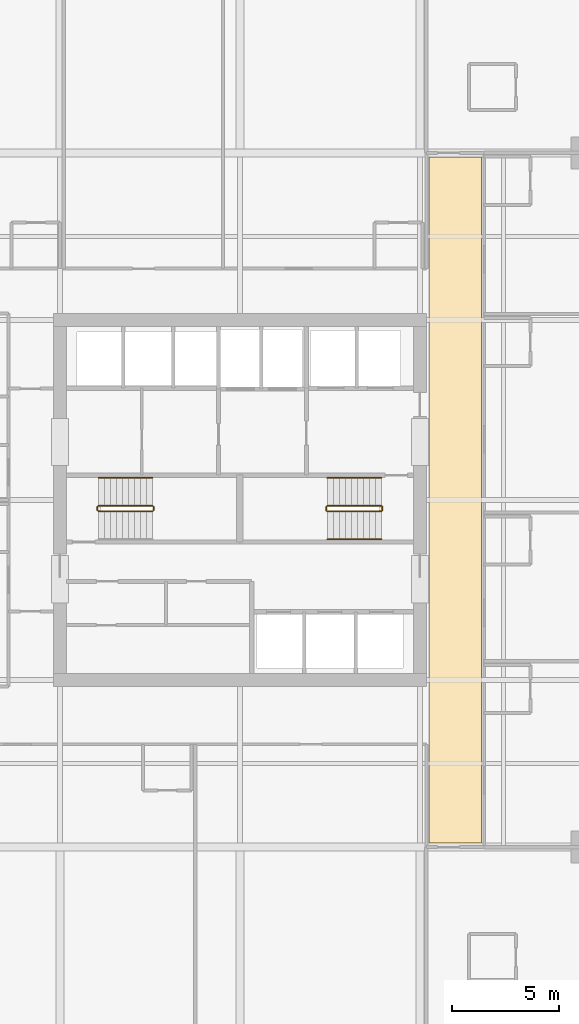
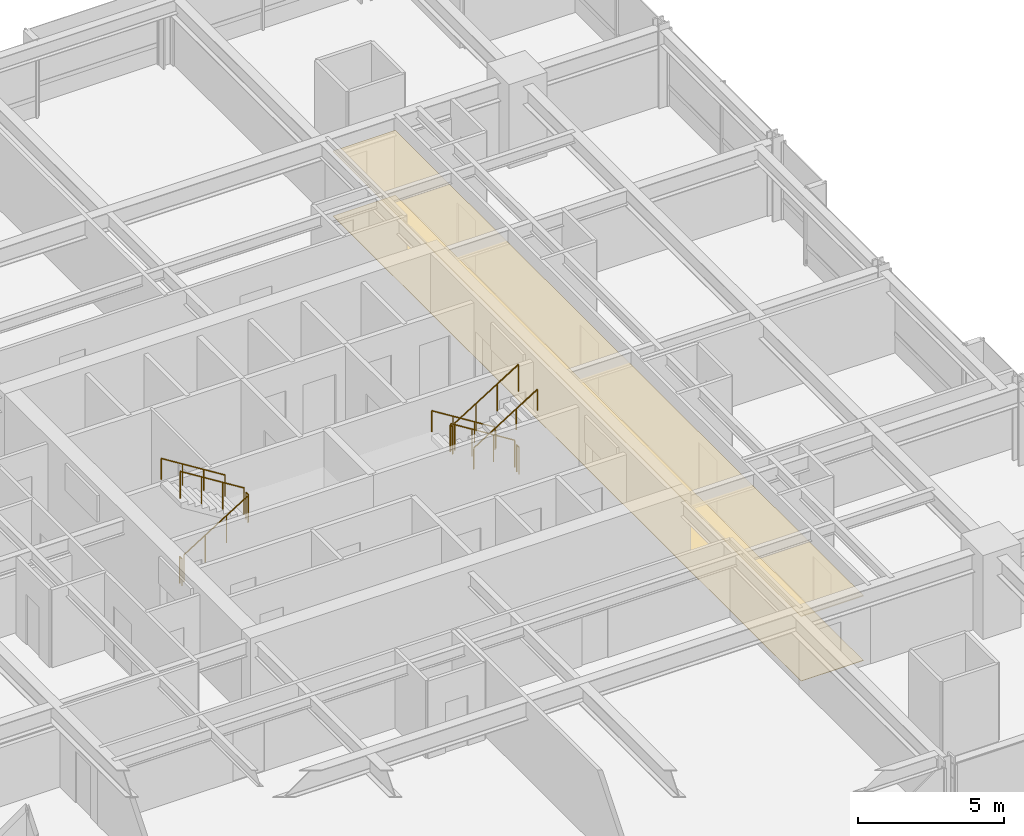
# One storey, part 33 of 34: 11 railings, 2 coverings.
"""IFC4 building model written with IfcOpenShell, lengths in metres."""

from ifc_helpers import new_model, si_unit, direction, frame, origin, origin_2d, place, context, subcontext, project, spatial, polyline, circle, outline, extrude, material, layer, layer_set, type_object, element, save


model = new_model("IFC4")

# Units and contexts
model_context = context("Model", 3, precision=1e-05, world=origin(), true_north=direction((0.0, 1.0)))
body_context = subcontext(model_context, "Body", "Model", "MODEL_VIEW")
ifc_project = project(units=[si_unit("LENGTHUNIT", "METRE"), si_unit("AREAUNIT", "SQUARE_METRE"), si_unit("VOLUMEUNIT", "CUBIC_METRE"), si_unit("PLANEANGLEUNIT", "RADIAN"), si_unit("MASSUNIT", "GRAM", prefix="KILO")], contexts=[model_context])

# Site, building, storey
site_placement = place(None, origin())
site = spatial("IfcSite", under=ifc_project, at=site_placement, CompositionType="ELEMENT")
building_placement = place(site_placement, origin())
building = spatial("IfcBuilding", under=site, at=building_placement, Name="Drelvath Grand Hotel", CompositionType="ELEMENT")
storey_placement = place(building_placement, frame((0.0, 0.0, 102.300048828125)))
storey = spatial("IfcBuildingStorey", under=building, at=storey_placement, Name="L25", CompositionType="ELEMENT", Elevation=102.300048828125)

# Railings
ifc_material_1 = material(Name="Painted Steel S275", Category="steel")
railing_type_1 = type_object("IfcRailingType", Name="Core Stair Wall Handrail 900", PredefinedType="HANDRAIL", material=ifc_material_1)
for number, where, name in (
    (1, (-4.080078125, 28.030029296875, 1.925048828125), "L25 ST-1 stair handrail 2"),
    (2, (6.60009765625, 28.030029296875, 0.175048828125), "L25 ST-2 stair handrail 1"),
):
    element("IfcRailing", number, at=place(storey_placement, frame(where)), inside=storey, type_object=railing_type_1, Name=name, PredefinedType="HANDRAIL", context=body_context, shape_type="SweptSolid", body=[
        extrude(circle(Radius=0.02392578125, at=origin_2d()), frame((0.0, 0.0, 0.8759765625), z_axis=(-0.848007534815, 0.0, 0.529984170421), x_axis=(0.0, -1.0, 0.0)), (0.0, 0.0, 1.0), 2.9716796875),
        extrude(circle(Radius=0.02099609375, at=origin_2d()), origin(), (0.0, 0.0, 1.0), 0.851806640625),
        extrude(circle(Radius=0.02099609375, at=origin_2d()), frame((-0.840087890625, 0.0, 0.52490234375)), (0.0, 0.0, 1.0), 0.851806640625),
        extrude(circle(Radius=0.02099609375, at=origin_2d()), frame((-1.679931640625, 0.0, 1.050048828125)), (0.0, 0.0, 1.0), 0.851806640625),
        extrude(circle(Radius=0.02099609375, at=origin_2d()), frame((-2.52001953125, 0.0, 1.574951171875)), (0.0, 0.0, 1.0), 0.851806640625),
    ])
railing_1_placement = place(storey_placement, frame((4.080078125, 25.169921875, 1.925048828125)))
element("IfcRailing", 3, at=railing_1_placement, inside=storey, type_object=railing_type_1, Name="L25 ST-2 stair handrail 2", PredefinedType="HANDRAIL", context=body_context, shape_type="SweptSolid", body=[
    extrude(circle(Radius=0.02392578125, at=origin_2d()), frame((0.0, 0.0, 0.8759765625), z_axis=(0.848007534815, 0.0, 0.529984170421), x_axis=(0.0, 1.0, 0.0)), (0.0, 0.0, 1.0), 2.9716796875),
    extrude(circle(Radius=0.02099609375, at=origin_2d()), origin(), (0.0, 0.0, 1.0), 0.851806640625),
    extrude(circle(Radius=0.02099609375, at=origin_2d()), frame((0.840087890625, 0.0, 0.52490234375)), (0.0, 0.0, 1.0), 0.851806640625),
    extrude(circle(Radius=0.02099609375, at=origin_2d()), frame((1.679931640625, 0.0, 1.050048828125)), (0.0, 0.0, 1.0), 0.851806640625),
    extrude(circle(Radius=0.02099609375, at=origin_2d()), frame((2.52001953125, 0.0, 1.574951171875)), (0.0, 0.0, 1.0), 0.851806640625),
])
railing_type_2 = type_object("IfcRailingType", Name="Core Stair Well Guardrail 1100", PredefinedType="GUARDRAIL", material=ifc_material_1)
railing_2_placement = place(storey_placement, frame((-6.60009765625, 26.469970703125, 0.175048828125)))
element("IfcRailing", 4, at=railing_2_placement, inside=storey, type_object=railing_type_2, Name="L25 ST-1 stair guard 1", PredefinedType="GUARDRAIL", context=body_context, shape_type="SweptSolid", body=[
    extrude(circle(Radius=0.02392578125, at=origin_2d()), frame((0.0, 0.0, 1.1259765625), z_axis=(0.848007534815, 0.0, 0.529984170421), x_axis=(0.0, 1.0, 0.0)), (0.0, 0.0, 1.0), 2.9716796875),
    extrude(circle(Radius=0.02099609375, at=origin_2d()), origin(), (0.0, 0.0, 1.0), 1.101806640625),
    extrude(circle(Radius=0.02099609375, at=origin_2d()), frame((0.840087890625, 0.0, 0.52490234375)), (0.0, 0.0, 1.0), 1.101806640625),
    extrude(circle(Radius=0.02099609375, at=origin_2d()), frame((1.679931640625, 0.0, 1.050048828125)), (0.0, 0.0, 1.0), 1.101806640625),
    extrude(circle(Radius=0.02099609375, at=origin_2d()), frame((2.52001953125, 0.0, 1.574951171875)), (0.0, 0.0, 1.0), 1.101806640625),
])
railing_3_placement = place(storey_placement, frame((-4.030029296875, 26.52001953125, 1.75)))
element("IfcRailing", 5, at=railing_3_placement, inside=storey, type_object=railing_type_2, Name="L25 ST-1 stair guard 2", PredefinedType="GUARDRAIL", context=body_context, shape_type="SweptSolid", body=[
    extrude(circle(Radius=0.02392578125, at=origin_2d()), frame((0.0, 0.0, 1.1259765625), z_axis=(0.0, 1.0, 0.0), x_axis=(-1.0, 0.0, 0.0)), (0.0, 0.0, 1.0), 0.159912109375),
    extrude(circle(Radius=0.02099609375, at=origin_2d()), origin(), (0.0, 0.0, 1.0), 1.101806640625),
    extrude(circle(Radius=0.02099609375, at=origin_2d()), frame((0.0, 0.159912109375, 0.0)), (0.0, 0.0, 1.0), 1.101806640625),
])
railing_4_placement = place(storey_placement, frame((-4.080078125, 26.72998046875, 1.925048828125)))
element("IfcRailing", 6, at=railing_4_placement, inside=storey, type_object=railing_type_2, Name="L25 ST-1 stair guard 3", PredefinedType="GUARDRAIL", context=body_context, shape_type="SweptSolid", body=[
    extrude(circle(Radius=0.02392578125, at=origin_2d()), frame((0.0, 0.0, 1.1259765625), z_axis=(-0.848007534815, 0.0, 0.529984170421), x_axis=(0.0, -1.0, 0.0)), (0.0, 0.0, 1.0), 2.9716796875),
    extrude(circle(Radius=0.02099609375, at=origin_2d()), origin(), (0.0, 0.0, 1.0), 1.101806640625),
    extrude(circle(Radius=0.02099609375, at=origin_2d()), frame((-0.840087890625, 0.0, 0.52490234375)), (0.0, 0.0, 1.0), 1.101806640625),
    extrude(circle(Radius=0.02099609375, at=origin_2d()), frame((-1.679931640625, 0.0, 1.050048828125)), (0.0, 0.0, 1.0), 1.101806640625),
    extrude(circle(Radius=0.02099609375, at=origin_2d()), frame((-2.52001953125, 0.0, 1.574951171875)), (0.0, 0.0, 1.0), 1.101806640625),
])
railing_5_placement = place(storey_placement, frame((-6.64990234375, 26.52001953125, 0.0)))
element("IfcRailing", 7, at=railing_5_placement, inside=storey, type_object=railing_type_2, Name="L25 ST-1 stair guard 4", PredefinedType="GUARDRAIL", context=body_context, shape_type="SweptSolid", body=[
    extrude(circle(Radius=0.02392578125, at=origin_2d()), frame((0.0, 0.0, 1.1259765625), z_axis=(0.0, 1.0, 0.0), x_axis=(-1.0, 0.0, 0.0)), (0.0, 0.0, 1.0), 0.159912109375),
    extrude(circle(Radius=0.02099609375, at=origin_2d()), origin(), (0.0, 0.0, 1.0), 1.101806640625),
    extrude(circle(Radius=0.02099609375, at=origin_2d()), frame((0.0, 0.159912109375, 0.0)), (0.0, 0.0, 1.0), 1.101806640625),
])
railing_6_placement = place(storey_placement, frame((6.60009765625, 26.72998046875, 0.175048828125)))
element("IfcRailing", 8, at=railing_6_placement, inside=storey, type_object=railing_type_2, Name="L25 ST-2 stair guard 1", PredefinedType="GUARDRAIL", context=body_context, shape_type="SweptSolid", body=[
    extrude(circle(Radius=0.02392578125, at=origin_2d()), frame((0.0, 0.0, 1.1259765625), z_axis=(-0.848007534815, 0.0, 0.529984170421), x_axis=(0.0, -1.0, 0.0)), (0.0, 0.0, 1.0), 2.9716796875),
    extrude(circle(Radius=0.02099609375, at=origin_2d()), origin(), (0.0, 0.0, 1.0), 1.101806640625),
    extrude(circle(Radius=0.02099609375, at=origin_2d()), frame((-0.840087890625, 0.0, 0.52490234375)), (0.0, 0.0, 1.0), 1.101806640625),
    extrude(circle(Radius=0.02099609375, at=origin_2d()), frame((-1.679931640625, 0.0, 1.050048828125)), (0.0, 0.0, 1.0), 1.101806640625),
    extrude(circle(Radius=0.02099609375, at=origin_2d()), frame((-2.52001953125, 0.0, 1.574951171875)), (0.0, 0.0, 1.0), 1.101806640625),
])
railing_7_placement = place(storey_placement, frame((4.030029296875, 26.679931640625, 1.75)))
element("IfcRailing", 9, at=railing_7_placement, inside=storey, type_object=railing_type_2, Name="L25 ST-2 stair guard 2", PredefinedType="GUARDRAIL", context=body_context, shape_type="SweptSolid", body=[
    extrude(circle(Radius=0.02392578125, at=origin_2d()), frame((0.0, 0.0, 1.1259765625), z_axis=(0.0, -1.0, 0.0), x_axis=(1.0, 0.0, 0.0)), (0.0, 0.0, 1.0), 0.159912109375),
    extrude(circle(Radius=0.02099609375, at=origin_2d()), origin(), (0.0, 0.0, 1.0), 1.101806640625),
    extrude(circle(Radius=0.02099609375, at=origin_2d()), frame((0.0, -0.159912109375, 0.0)), (0.0, 0.0, 1.0), 1.101806640625),
])
railing_8_placement = place(storey_placement, frame((4.080078125, 26.469970703125, 1.925048828125)))
element("IfcRailing", 10, at=railing_8_placement, inside=storey, type_object=railing_type_2, Name="L25 ST-2 stair guard 3", PredefinedType="GUARDRAIL", context=body_context, shape_type="SweptSolid", body=[
    extrude(circle(Radius=0.02392578125, at=origin_2d()), frame((0.0, 0.0, 1.1259765625), z_axis=(0.848007534815, 0.0, 0.529984170421), x_axis=(0.0, 1.0, 0.0)), (0.0, 0.0, 1.0), 2.9716796875),
    extrude(circle(Radius=0.02099609375, at=origin_2d()), origin(), (0.0, 0.0, 1.0), 1.101806640625),
    extrude(circle(Radius=0.02099609375, at=origin_2d()), frame((0.840087890625, 0.0, 0.52490234375)), (0.0, 0.0, 1.0), 1.101806640625),
    extrude(circle(Radius=0.02099609375, at=origin_2d()), frame((1.679931640625, 0.0, 1.050048828125)), (0.0, 0.0, 1.0), 1.101806640625),
    extrude(circle(Radius=0.02099609375, at=origin_2d()), frame((2.52001953125, 0.0, 1.574951171875)), (0.0, 0.0, 1.0), 1.101806640625),
])
railing_9_placement = place(storey_placement, frame((6.64990234375, 26.679931640625, 0.0)))
element("IfcRailing", 11, at=railing_9_placement, inside=storey, type_object=railing_type_2, Name="L25 ST-2 stair guard 4", PredefinedType="GUARDRAIL", context=body_context, shape_type="SweptSolid", body=[
    extrude(circle(Radius=0.02392578125, at=origin_2d()), frame((0.0, 0.0, 1.1259765625), z_axis=(0.0, -1.0, 0.0), x_axis=(1.0, 0.0, 0.0)), (0.0, 0.0, 1.0), 0.159912109375),
    extrude(circle(Radius=0.02099609375, at=origin_2d()), origin(), (0.0, 0.0, 1.0), 1.101806640625),
    extrude(circle(Radius=0.02099609375, at=origin_2d()), frame((0.0, -0.159912109375, 0.0)), (0.0, 0.0, 1.0), 1.101806640625),
])

# Coverings
ifc_material_2 = material(Name="Woven Wool Broadloom Carpet")
ifc_layer_1 = layer(ifc_material_2, 0.01806640625)
ifc_layer_set_1 = layer_set([ifc_layer_1], Name="Woven Wool Broadloom Carpet")
covering_type_1 = type_object("IfcCoveringType", Name="Hospitality Broadloom Carpet 18", PredefinedType="FLOORING", material=ifc_layer_set_1)
covering_1_placement = place(storey_placement, origin())
element("IfcCovering", 12, at=covering_1_placement, inside=storey, type_object=covering_type_1, Name="L25 East Spine Carpet", PredefinedType="FLOORING", context=body_context, shape_type="SweptSolid", body=[
    extrude(outline(polyline([(11.280029296875, 11.0), (11.280029296875, 43.0), (8.820068359375, 43.0), (8.820068359375, 11.0), (11.280029296875, 11.0)])), origin(), (0.0, 0.0, 1.0), 0.01806640625),
])
ifc_material_3 = material(Name="Anodised Aluminium Alloy", Category="aluminium")
ifc_layer_2 = layer(ifc_material_3, 0.0400390625)
ifc_layer_set_2 = layer_set([ifc_layer_2], Name="Anodised Aluminium Alloy")
covering_type_2 = type_object("IfcCoveringType", Name="Perforated Metal Corridor Ceiling 40", PredefinedType="CEILING", material=ifc_layer_set_2)
covering_2_placement = place(storey_placement, frame((0.0, 0.0, 2.68994140625)))
element("IfcCovering", 13, at=covering_2_placement, inside=storey, type_object=covering_type_2, Name="L25 East Spine Ceiling", PredefinedType="CEILING", context=body_context, shape_type="SweptSolid", body=[
    extrude(outline(polyline([(11.280029296875, 11.0), (11.280029296875, 43.0), (8.820068359375, 43.0), (8.820068359375, 11.0), (11.280029296875, 11.0)])), origin(), (0.0, 0.0, 1.0), 0.0400390625),
])

save(model, "model.ifc")
